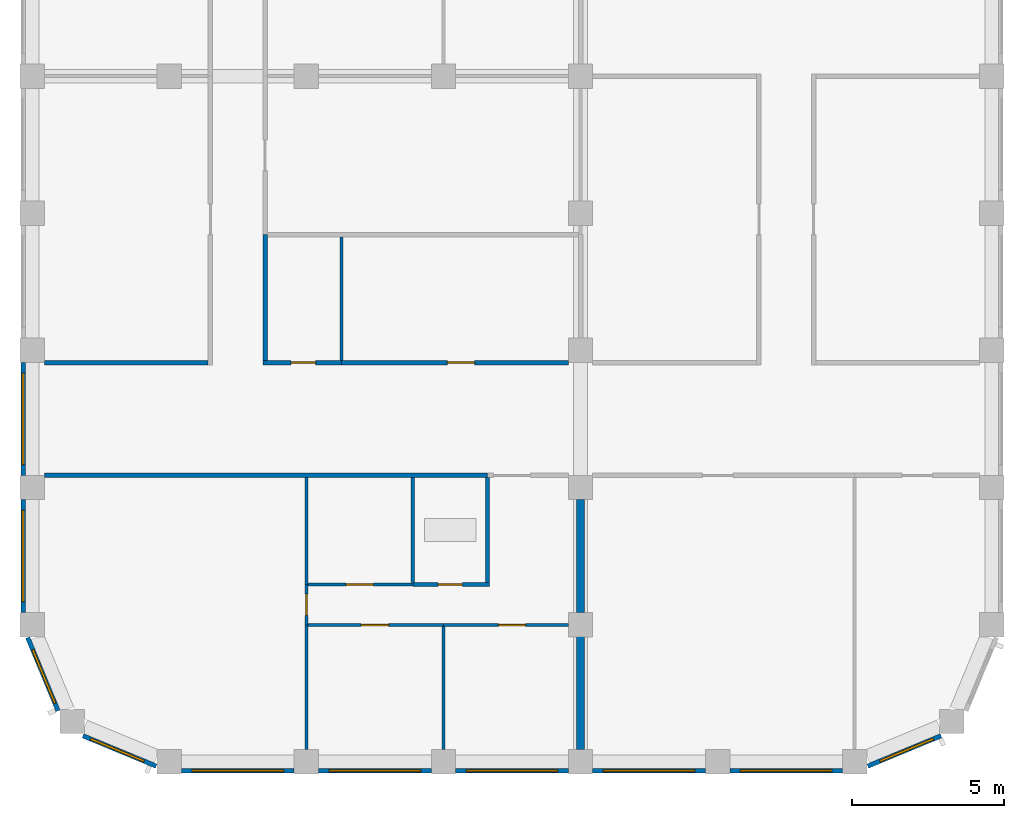
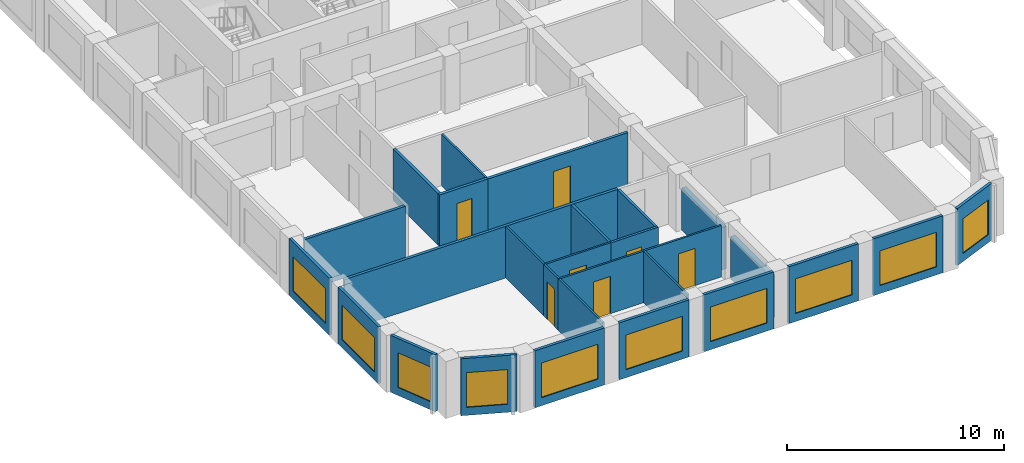
# One storey, part 2 of 9: 28 walls, 10 windows, 7 doors, 17 openings.
"""IFC4 building model written with IfcOpenShell, lengths in metres."""

import ifcopenshell
import ifcopenshell.guid

model = None  # the IFC model being written
_history = None  # IfcOwnerHistory: only IFC2X3 demands one
_inside = {}  # id of a spatial element -> (the spatial element, [elements in it])
_under = {}  # id of a project, library or spatial element -> (it, [spatial elements below it])
_declared = {}  # id of a project -> (the project, [libraries it declares])
_typed = {}  # id of a type object -> (the type object, [elements of that type])
_made_of = {}  # id of a material, layer set ... -> (it, [elements and type objects made of it])


def new_model(schema):
    """Start an empty IFC model of exactly this schema.

    Asked for "IFC4X3", IfcOpenShell would pick the latest addendum, in which some entities
    have other attributes; the version numbers below select the first issue.
    IFC2X3 requires an IfcOwnerHistory on every rooted entity: one is made here for all.
    """
    global model, _history
    if schema == "IFC4X3":
        model = ifcopenshell.file(schema_version=(4, 3, 0, 0))
    else:
        model = ifcopenshell.file(schema=schema)
    _inside.clear()
    _under.clear()
    _declared.clear()
    _typed.clear()
    _made_of.clear()
    _history = None
    if model.schema == "IFC2X3":
        org = make("IfcOrganization", Name="unknown")
        user = make(
            "IfcPersonAndOrganization",
            ThePerson=make("IfcPerson", FamilyName="unknown"),
            TheOrganization=org,
        )
        app = make(
            "IfcApplication",
            ApplicationDeveloper=org,
            Version="unknown",
            ApplicationFullName="unknown",
            ApplicationIdentifier="unknown",
        )
        _history = make(
            "IfcOwnerHistory",
            OwningUser=user,
            OwningApplication=app,
            ChangeAction="ADDED",
            CreationDate=0,
        )
    return model


def make(cls, **values):
    """One entity of the class cls with the attributes given. An attribute that is None is left unset."""
    return model.create_entity(
        cls, **{name: value for name, value in values.items() if value is not None}
    )


def rooted(cls, **values):
    """An entity with a GlobalId (a new one), such as an element, a storey or a relation."""
    return make(cls, GlobalId=ifcopenshell.guid.new(), OwnerHistory=_history, **values)


def si_unit(unit_type, name, prefix=None):
    """IfcSIUnit, for example si_unit("LENGTHUNIT", "METRE", prefix="MILLI")."""
    return make("IfcSIUnit", UnitType=unit_type, Prefix=prefix, Name=name)


def assignment(units):
    """IfcUnitAssignment: the units of a project."""
    return None if units is None else make("IfcUnitAssignment", Units=units)


def point(xyz):
    """IfcCartesianPoint."""
    return None if xyz is None else make("IfcCartesianPoint", Coordinates=xyz)


def direction(xyz):
    """IfcDirection."""
    return None if xyz is None else make("IfcDirection", DirectionRatios=xyz)


def frame(location, z_axis=None, x_axis=None):
    """IfcAxis2Placement3D, a coordinate frame: its origin and axes. An axis left out is left unset."""
    return make(
        "IfcAxis2Placement3D",
        Location=point(location),
        Axis=direction(z_axis),
        RefDirection=direction(x_axis),
    )


def frame_2d(location, x_axis=None):
    """IfcAxis2Placement2D, a coordinate frame in the plane: its origin and x axis."""
    return make(
        "IfcAxis2Placement2D", Location=point(location), RefDirection=direction(x_axis)
    )


def origin():
    """The frame at (0, 0, 0) with its axes left unset."""
    return frame((0.0, 0.0, 0.0))


def place(relative_to, where):
    """IfcLocalPlacement: puts the frame where relative to a parent placement (None: the world)."""
    return make(
        "IfcLocalPlacement", PlacementRelTo=relative_to, RelativePlacement=where
    )


def context(
    kind, dimensions, precision=None, world=None, true_north=None, identifier=None
):
    """IfcGeometricRepresentationContext, for example the 3D "Model" context."""
    return make(
        "IfcGeometricRepresentationContext",
        ContextIdentifier=identifier,
        ContextType=kind,
        CoordinateSpaceDimension=dimensions,
        Precision=precision,
        WorldCoordinateSystem=world,
        TrueNorth=true_north,
    )


def subcontext(parent, identifier, kind, view, scale=None):
    """IfcGeometricRepresentationSubContext, for example "Body" below "Model"."""
    return make(
        "IfcGeometricRepresentationSubContext",
        ContextIdentifier=identifier,
        ContextType=kind,
        ParentContext=parent,
        TargetScale=scale,
        TargetView=view,
    )


def project(units=None, contexts=None):
    """IfcProject with its units and contexts."""
    return rooted(
        "IfcProject",
        Name="project",
        RepresentationContexts=contexts,
        UnitsInContext=assignment(units),
    )


def spatial(cls, under=None, at=None, **own):
    """A site, building, storey or space (cls), placed at a placement, below another one or the project."""
    s = rooted(cls, ObjectPlacement=at, **own)
    if under is not None:
        _under.setdefault(under.id(), (under, []))[1].append(s)
    return s


def profile(cls, at=None, kind="AREA", **sizes):
    """A parametric profile (cls). Its sizes go by their IFC names, for example OverallWidth=200.0."""
    return make(cls, ProfileType=kind, Position=at, **sizes)


def rectangle(**sizes):
    """IfcRectangleProfileDef."""
    return profile("IfcRectangleProfileDef", **sizes)


def extrude(swept, where, along, depth):
    """IfcExtrudedAreaSolid: the profile swept, set in the frame where, extruded along a direction by depth."""
    return make(
        "IfcExtrudedAreaSolid",
        SweptArea=swept,
        Position=where,
        ExtrudedDirection=direction(along),
        Depth=depth,
    )


def shape(context_of_items, identifier, shape_type, items):
    """IfcShapeRepresentation: the items that make up one representation, for example the "Body"."""
    return make(
        "IfcShapeRepresentation",
        ContextOfItems=context_of_items,
        RepresentationIdentifier=identifier,
        RepresentationType=shape_type,
        Items=items,
    )


def material(Name=None, Category=None):
    """IfcMaterial."""
    return make("IfcMaterial", Name=Name, Category=Category)


def layer(
    of_material, thickness, ventilated=None, Name=None, Category=None, Priority=None
):
    """IfcMaterialLayer: one layer of a wall or slab, of a material (None: an air gap)."""
    return make(
        "IfcMaterialLayer",
        Material=of_material,
        LayerThickness=thickness,
        IsVentilated=ventilated,
        Name=Name,
        Category=Category,
        Priority=Priority,
    )


def layer_set(layers, Name=None):
    """IfcMaterialLayerSet."""
    return make("IfcMaterialLayerSet", MaterialLayers=layers, LayerSetName=Name)


def made_of(thing, what):
    """Note that an element or type object is made of a material, layer set ...; save() writes the relation."""
    if what is not None:
        _made_of.setdefault(what.id(), (what, []))[1].append(thing)
    return thing


def type_object(cls, material=None, **own):
    """A type object (cls), such as IfcWallType, which elements share."""
    return made_of(rooted(cls, **own), material)


def element(
    cls,
    number,
    at=None,
    inside=None,
    cuts=None,
    type_object=None,
    material=None,
    context=None,
    identifier="Body",
    shape_type=None,
    held_by="IfcProductDefinitionShape",
    body=None,
    shapes=None,
    **own,
):
    """One element of the class cls, such as IfcWall. Its Tag is "e" and its number.

    at: its placement. inside: the storey or other place that contains it. cuts: it is an
    opening in that element (IfcRelVoidsElement). A single representation is given by context,
    identifier, shape_type and body (its items); several are given by shapes. held_by: the class
    of the entity that holds the representations. save() writes the other relations.
    """
    e = rooted(cls, Tag="e%d" % number, ObjectPlacement=at, **own)
    if body is not None:
        shapes = [shape(context, identifier, shape_type, body)]
    if shapes is not None:
        e.Representation = make(held_by, Representations=shapes)
    if inside is not None:
        _inside.setdefault(inside.id(), (inside, []))[1].append(e)
    if cuts is not None:
        rooted(
            "IfcRelVoidsElement", RelatingBuildingElement=cuts, RelatedOpeningElement=e
        )
    if type_object is not None:
        _typed.setdefault(type_object.id(), (type_object, []))[1].append(e)
    return made_of(e, material)


def fill(opening, filler):
    """IfcRelFillsElement: the door or window that sits in an opening."""
    return rooted(
        "IfcRelFillsElement",
        RelatingOpeningElement=opening,
        RelatedBuildingElement=filler,
    )


def aggregate(whole, parts):
    """IfcRelAggregates: a whole, such as a stair, and the parts it consists of."""
    return rooted("IfcRelAggregates", RelatingObject=whole, RelatedObjects=parts)


def save(model, path):
    """Write the relations noted so far, then the file.

    IfcRelAggregates (storeys below a building ...), IfcRelContainedInSpatialStructure (elements
    in a storey), IfcRelDefinesByType, IfcRelAssociatesMaterial and IfcRelDeclares: one each for
    every whole, place, type object, material and project.
    """
    for whole, parts in _under.values():
        aggregate(whole, parts)
    for where, things in _inside.values():
        rooted(
            "IfcRelContainedInSpatialStructure",
            RelatedElements=things,
            RelatingStructure=where,
        )
    for kind, things in _typed.values():
        rooted("IfcRelDefinesByType", RelatedObjects=things, RelatingType=kind)
    for what, things in _made_of.values():
        rooted("IfcRelAssociatesMaterial", RelatedObjects=things, RelatingMaterial=what)
    for by, libraries in _declared.values():
        rooted("IfcRelDeclares", RelatingContext=by, RelatedDefinitions=libraries)
    model.write(path)


model = new_model("IFC4")

# Units and contexts
model_context = context("Model", 3, precision=1e-05, world=origin(), true_north=direction((0.0, 1.0)))
body_context = subcontext(model_context, "Body", "Model", "MODEL_VIEW")
ifc_project = project(units=[si_unit("LENGTHUNIT", "METRE"), si_unit("AREAUNIT", "SQUARE_METRE"), si_unit("VOLUMEUNIT", "CUBIC_METRE"), si_unit("PLANEANGLEUNIT", "RADIAN"), si_unit("MASSUNIT", "GRAM", prefix="KILO")], contexts=[model_context])

# Site, building, storey
site_placement = place(None, origin())
site = spatial("IfcSite", under=ifc_project, at=site_placement, CompositionType="ELEMENT")
building_placement = place(site_placement, origin())
building = spatial("IfcBuilding", under=site, at=building_placement, Name="Girih Gate Residences", CompositionType="ELEMENT")
storey_placement = place(building_placement, frame((0.0, 0.0, 206.89501953125)))
storey = spatial("IfcBuildingStorey", under=building, at=storey_placement, Name="L57", CompositionType="ELEMENT", Elevation=206.89501953125)

# Walls
ifc_material_1 = material(Name="Gypsum board on steel studs", Category="steel")
ifc_layer_1 = layer(ifc_material_1, 0.25)
ifc_layer_set_1 = layer_set([ifc_layer_1], Name="Acoustic separating wall 250 mm")
wall_type_1 = type_object("IfcWallType", Name="Acoustic separating wall 250 mm", PredefinedType="PARTITIONING", material=ifc_layer_set_1)
for number, where, z_axis, x_axis, name in (
    (1, (18.0, 0.39990234375, 0.0), (0.0, 0.0, 1.0), (0.0, 1.0, 0.0), "L57 partition"),
    (2, (18.0, 4.89990234375, 0.0), (0.0, 0.0, 1.0), (0.0, 1.0, 0.0), "L57 partition"),
):
    element("IfcWall", number, at=place(storey_placement, frame(where, z_axis=z_axis, x_axis=x_axis)), inside=storey, type_object=wall_type_1, Name=name, PredefinedType="PARTITIONING", context=body_context, shape_type="SweptSolid", body=[
        extrude(rectangle(XDim=3.7001953125, YDim=0.25, at=frame_2d((1.85009765625, 0.0))), origin(), (0.0, 0.0, 1.0), 2.3798828125),
    ])
ifc_layer_2 = layer(ifc_material_1, 0.14990234375)
ifc_layer_set_2 = layer_set([ifc_layer_2], Name="Compartment wall 150 mm")
wall_type_2 = type_object("IfcWallType", Name="Compartment wall 150 mm", PredefinedType="PARTITIONING", material=ifc_layer_set_2)
wall_1_placement = place(storey_placement, frame((0.39990234375, 9.39990234375, 0.0), z_axis=(0.0, 0.0, 1.0), x_axis=(1.0, 0.0, 0.0)))
element("IfcWall", 3, at=wall_1_placement, inside=storey, type_object=wall_type_2, Name="L57 partition", PredefinedType="PARTITIONING", context=body_context, shape_type="SweptSolid", body=[
    extrude(rectangle(XDim=14.550048828125, YDim=0.14990234375, at=frame_2d((7.27490234375, 0.0))), origin(), (0.0, 0.0, 1.0), 2.89990234375),
])

# Wall, opening, door
wall_2_placement = place(storey_placement, frame((10.14990234375, 13.10009765625, 0.0), z_axis=(0.0, 0.0, 1.0), x_axis=(1.0, 0.0, 0.0)))
wall_2 = element("IfcWall", 4, at=wall_2_placement, inside=storey, type_object=wall_type_2, Name="L57 partition", PredefinedType="PARTITIONING", context=body_context, shape_type="SweptSolid", body=[
    extrude(rectangle(XDim=7.4501953125, YDim=0.14990234375, at=frame_2d((3.72509765625, 0.0))), origin(), (0.0, 0.0, 1.0), 2.89990234375),
])
opening_1_placement = place(wall_2_placement, frame((3.47509765625, 0.0, 0.0)))
opening_1 = element("IfcOpeningElement", 5, at=opening_1_placement, cuts=wall_2, Name="Opening A57-029", PredefinedType="OPENING", context=body_context, shape_type="SweptSolid", body=[
    extrude(rectangle(XDim=0.89990234375, YDim=2.10009765625, at=frame_2d((0.449951171875, 1.050048828125))), frame((0.0, 0.0849609375, 0.0), z_axis=(0.0, -1.0, 0.0), x_axis=(1.0, 0.0, 0.0)), (0.0, 0.0, 1.0), 0.169921875),
])
ifc_material_2 = material(Name="Timber", Category="wood")
door_type_1 = type_object("IfcDoorType", Name="Service room door 900x2100", OperationType="NOTDEFINED", PredefinedType="DOOR", material=ifc_material_2)
door_1_placement = place(opening_1_placement, origin())
door_1 = element("IfcDoor", 6, at=door_1_placement, inside=storey, type_object=door_type_1, Name="Door A57-029", OperationType="SINGLE_SWING_RIGHT", OverallHeight=2.10009765625, OverallWidth=0.89990234375, PredefinedType="DOOR", context=body_context, shape_type="SweptSolid", body=[
    extrude(rectangle(XDim=0.89990234375, YDim=2.10009765625, at=frame_2d((0.449951171875, 1.050048828125))), frame((0.0, 0.02490234375, 0.0), z_axis=(0.0, -1.0, 0.0), x_axis=(1.0, 0.0, 0.0)), (0.0, 0.0, 1.0), 0.050048828125),
])
fill(opening_1, door_1)

wall_3_placement = place(storey_placement, frame((7.574951171875, 13.10009765625, 0.0), z_axis=(0.0, 0.0, 1.0), x_axis=(1.0, 0.0, 0.0)))
wall_3 = element("IfcWall", 7, at=wall_3_placement, inside=storey, type_object=wall_type_2, Name="L57 partition", PredefinedType="PARTITIONING", context=body_context, shape_type="SweptSolid", body=[
    extrude(rectangle(XDim=2.574951171875, YDim=0.14990234375, at=frame_2d((1.28759765625, 0.0))), origin(), (0.0, 0.0, 1.0), 2.89990234375),
])
opening_2_placement = place(wall_3_placement, frame((0.925048828125, 0.0, 0.0)))
opening_2 = element("IfcOpeningElement", 8, at=opening_2_placement, cuts=wall_3, Name="Opening A57-030", PredefinedType="OPENING", context=body_context, shape_type="SweptSolid", body=[
    extrude(rectangle(XDim=0.800048828125, YDim=2.10009765625, at=frame_2d((0.39990234375, 1.050048828125))), frame((0.0, 0.0849609375, 0.0), z_axis=(0.0, -1.0, 0.0), x_axis=(1.0, 0.0, 0.0)), (0.0, 0.0, 1.0), 0.169921875),
])
door_type_2 = type_object("IfcDoorType", Name="Bathroom door 800x2100", OperationType="NOTDEFINED", PredefinedType="DOOR", material=ifc_material_2)
door_2_placement = place(opening_2_placement, origin())
door_2 = element("IfcDoor", 9, at=door_2_placement, inside=storey, type_object=door_type_2, Name="Door A57-030", OperationType="SINGLE_SWING_RIGHT", OverallHeight=2.10009765625, OverallWidth=0.800048828125, PredefinedType="DOOR", context=body_context, shape_type="SweptSolid", body=[
    extrude(rectangle(XDim=0.800048828125, YDim=2.10009765625, at=frame_2d((0.39990234375, 1.050048828125))), frame((0.0, 0.02490234375, 0.0), z_axis=(0.0, -1.0, 0.0), x_axis=(1.0, 0.0, 0.0)), (0.0, 0.0, 1.0), 0.050048828125),
])
fill(opening_2, door_2)

# Walls
wall_4_placement = place(storey_placement, frame((0.39990234375, 13.10009765625, 0.0), z_axis=(0.0, 0.0, 1.0), x_axis=(1.0, 0.0, 0.0)))
element("IfcWall", 10, at=wall_4_placement, inside=storey, type_object=wall_type_2, Name="L57 partition", PredefinedType="PARTITIONING", context=body_context, shape_type="SweptSolid", body=[
    extrude(rectangle(XDim=5.375, YDim=0.14990234375, at=frame_2d((2.6875, 0.0))), origin(), (0.0, 0.0, 1.0), 2.89990234375),
])
wall_5_placement = place(storey_placement, frame((7.64990234375, 13.175048828125, 0.0), z_axis=(0.0, 0.0, 1.0), x_axis=(0.0, 1.0, 0.0)))
element("IfcWall", 11, at=wall_5_placement, inside=storey, type_object=wall_type_2, Name="L57 partition", PredefinedType="PARTITIONING", context=body_context, shape_type="SweptSolid", body=[
    extrude(rectangle(XDim=4.125, YDim=0.14990234375, at=frame_2d((2.0625, 0.0))), origin(), (0.0, 0.0, 1.0), 2.89990234375),
])
ifc_layer_3 = layer(ifc_material_1, 0.10009765625)
ifc_layer_set_3 = layer_set([ifc_layer_3], Name="Partition 100 mm")
wall_type_3 = type_object("IfcWallType", Name="Partition 100 mm", PredefinedType="PARTITIONING", material=ifc_layer_set_3)
wall_6_placement = place(storey_placement, frame((13.5, 0.39990234375, 0.0), z_axis=(0.0, 0.0, 1.0), x_axis=(0.0, 1.0, 0.0)))
element("IfcWall", 12, at=wall_6_placement, inside=storey, type_object=wall_type_3, Name="L57 partition", PredefinedType="PARTITIONING", context=body_context, shape_type="SweptSolid", body=[
    extrude(rectangle(XDim=4.030029296875, YDim=0.10009765625, at=frame_2d((2.01513671875, 0.0))), origin(), (0.0, 0.0, 1.0), 2.89990234375),
])

# Wall, opening, door
wall_7_placement = place(storey_placement, frame((13.5, 4.47998046875, 0.0), z_axis=(0.0, 0.0, 1.0), x_axis=(-1.0, 0.0, 0.0)))
wall_7 = element("IfcWall", 13, at=wall_7_placement, inside=storey, type_object=wall_type_3, Name="L57 partition", PredefinedType="PARTITIONING", context=body_context, shape_type="SweptSolid", body=[
    extrude(rectangle(XDim=4.449951171875, YDim=0.10009765625, at=frame_2d((2.22509765625, 0.0))), origin(), (0.0, 0.0, 1.0), 2.89990234375),
])
opening_3_placement = place(wall_7_placement, frame((1.800048828125, 0.0, 0.0)))
opening_3 = element("IfcOpeningElement", 14, at=opening_3_placement, cuts=wall_7, Name="Opening A57-002", PredefinedType="OPENING", context=body_context, shape_type="SweptSolid", body=[
    extrude(rectangle(XDim=0.89990234375, YDim=2.10009765625, at=frame_2d((0.449951171875, 1.050048828125))), frame((0.0, 0.06005859375, 0.0), z_axis=(0.0, -1.0, 0.0), x_axis=(1.0, 0.0, 0.0)), (0.0, 0.0, 1.0), 0.1201171875),
])
door_type_3 = type_object("IfcDoorType", Name="Bedroom door 900x2100", OperationType="NOTDEFINED", PredefinedType="DOOR", material=ifc_material_2)
door_3_placement = place(opening_3_placement, origin())
door_3 = element("IfcDoor", 15, at=door_3_placement, inside=storey, type_object=door_type_3, Name="Door A57-002", OperationType="SINGLE_SWING_RIGHT", OverallHeight=2.10009765625, OverallWidth=0.89990234375, PredefinedType="DOOR", context=body_context, shape_type="SweptSolid", body=[
    extrude(rectangle(XDim=0.89990234375, YDim=2.10009765625, at=frame_2d((0.449951171875, 1.050048828125))), frame((0.0, 0.02490234375, 0.0), z_axis=(0.0, -1.0, 0.0), x_axis=(1.0, 0.0, 0.0)), (0.0, 0.0, 1.0), 0.050048828125),
])
fill(opening_3, door_3)

# Wall
wall_8_placement = place(storey_placement, frame((9.0, 0.39990234375, 0.0), z_axis=(0.0, 0.0, 1.0), x_axis=(0.0, 1.0, 0.0)))
element("IfcWall", 16, at=wall_8_placement, inside=storey, type_object=wall_type_3, Name="L57 partition", PredefinedType="PARTITIONING", context=body_context, shape_type="SweptSolid", body=[
    extrude(rectangle(XDim=4.080078125, YDim=0.10009765625, at=frame_2d((2.0400390625, 0.0))), origin(), (0.0, 0.0, 1.0), 2.89990234375),
])

# Wall, opening, door
wall_9_placement = place(storey_placement, frame((17.60009765625, 4.47998046875, 0.0), z_axis=(0.0, 0.0, 1.0), x_axis=(-1.0, 0.0, 0.0)))
wall_9 = element("IfcWall", 17, at=wall_9_placement, inside=storey, type_object=wall_type_3, Name="L57 partition", PredefinedType="PARTITIONING", context=body_context, shape_type="SweptSolid", body=[
    extrude(rectangle(XDim=4.10009765625, YDim=0.10009765625, at=frame_2d((2.050048828125, 0.0))), origin(), (0.0, 0.0, 1.0), 2.89990234375),
])
opening_4_placement = place(wall_9_placement, frame((1.39990234375, 0.0, 0.0)))
opening_4 = element("IfcOpeningElement", 18, at=opening_4_placement, cuts=wall_9, Name="Opening A57-003", PredefinedType="OPENING", context=body_context, shape_type="SweptSolid", body=[
    extrude(rectangle(XDim=0.89990234375, YDim=2.10009765625, at=frame_2d((0.449951171875, 1.050048828125))), frame((0.0, 0.06005859375, 0.0), z_axis=(0.0, -1.0, 0.0), x_axis=(1.0, 0.0, 0.0)), (0.0, 0.0, 1.0), 0.1201171875),
])
door_4_placement = place(opening_4_placement, origin())
door_4 = element("IfcDoor", 19, at=door_4_placement, inside=storey, type_object=door_type_3, Name="Door A57-003", OperationType="SINGLE_SWING_LEFT", OverallHeight=2.10009765625, OverallWidth=0.89990234375, PredefinedType="DOOR", context=body_context, shape_type="SweptSolid", body=[
    extrude(rectangle(XDim=0.89990234375, YDim=2.10009765625, at=frame_2d((0.449951171875, 1.050048828125))), frame((0.0, 0.02490234375, 0.0), z_axis=(0.0, -1.0, 0.0), x_axis=(1.0, 0.0, 0.0)), (0.0, 0.0, 1.0), 0.050048828125),
])
fill(opening_4, door_4)

wall_10_placement = place(storey_placement, frame((9.050048828125, 5.820068359375, 0.0), z_axis=(0.0, 0.0, 1.0), x_axis=(1.0, 0.0, 0.0)))
wall_10 = element("IfcWall", 20, at=wall_10_placement, inside=storey, type_object=wall_type_3, Name="L57 partition", PredefinedType="PARTITIONING", context=body_context, shape_type="SweptSolid", body=[
    extrude(rectangle(XDim=3.444580078125, YDim=0.10009765625, at=frame_2d((1.72216796875, 0.0))), origin(), (0.0, 0.0, 1.0), 2.89990234375),
])
opening_5_placement = place(wall_10_placement, frame((1.247314453125, 0.0, 0.0)))
opening_5 = element("IfcOpeningElement", 21, at=opening_5_placement, cuts=wall_10, Name="Opening A57-004", PredefinedType="OPENING", context=body_context, shape_type="SweptSolid", body=[
    extrude(rectangle(XDim=0.89990234375, YDim=2.10009765625, at=frame_2d((0.449951171875, 1.050048828125))), frame((0.0, 0.06005859375, 0.0), z_axis=(0.0, -1.0, 0.0), x_axis=(1.0, 0.0, 0.0)), (0.0, 0.0, 1.0), 0.1201171875),
])
door_type_4 = type_object("IfcDoorType", Name="Kitchen door 900x2100", OperationType="NOTDEFINED", PredefinedType="DOOR", material=ifc_material_2)
door_5_placement = place(opening_5_placement, origin())
door_5 = element("IfcDoor", 22, at=door_5_placement, inside=storey, type_object=door_type_4, Name="Door A57-004", OperationType="SINGLE_SWING_LEFT", OverallHeight=2.10009765625, OverallWidth=0.89990234375, PredefinedType="DOOR", context=body_context, shape_type="SweptSolid", body=[
    extrude(rectangle(XDim=0.89990234375, YDim=2.10009765625, at=frame_2d((0.449951171875, 1.050048828125))), frame((0.0, 0.02490234375, 0.0), z_axis=(0.0, -1.0, 0.0), x_axis=(1.0, 0.0, 0.0)), (0.0, 0.0, 1.0), 0.050048828125),
])
fill(opening_5, door_5)

wall_11_placement = place(storey_placement, frame((9.0, 4.47998046875, 0.0), z_axis=(0.0, 0.0, 1.0), x_axis=(0.0, 1.0, 0.0)))
wall_11 = element("IfcWall", 23, at=wall_11_placement, inside=storey, type_object=wall_type_3, Name="L57 partition", PredefinedType="PARTITIONING", context=body_context, shape_type="SweptSolid", body=[
    extrude(rectangle(XDim=1.340087890625, YDim=0.10009765625, at=frame_2d((0.669921875, 0.0))), origin(), (0.0, 0.0, 1.0), 2.89990234375),
])
opening_6_placement = place(wall_11_placement, frame((0.320068359375, 0.0, 0.0)))
opening_6 = element("IfcOpeningElement", 24, at=opening_6_placement, cuts=wall_11, Name="Opening A57-005", PredefinedType="OPENING", context=body_context, shape_type="SweptSolid", body=[
    extrude(rectangle(XDim=0.699951171875, YDim=2.10009765625, at=frame_2d((0.35009765625, 1.050048828125))), frame((0.0, 0.06005859375, 0.0), z_axis=(0.0, -1.0, 0.0), x_axis=(1.0, 0.0, 0.0)), (0.0, 0.0, 1.0), 0.1201171875),
])
door_type_5 = type_object("IfcDoorType", Name="Narrow door 700x2100", OperationType="NOTDEFINED", PredefinedType="DOOR", material=ifc_material_2)
door_6_placement = place(opening_6_placement, origin())
door_6 = element("IfcDoor", 25, at=door_6_placement, inside=storey, type_object=door_type_5, Name="Door A57-005", OperationType="SINGLE_SWING_LEFT", OverallHeight=2.10009765625, OverallWidth=0.699951171875, PredefinedType="DOOR", context=body_context, shape_type="SweptSolid", body=[
    extrude(rectangle(XDim=0.699951171875, YDim=2.10009765625, at=frame_2d((0.35009765625, 1.050048828125))), frame((0.0, 0.02490234375, 0.0), z_axis=(0.0, -1.0, 0.0), x_axis=(1.0, 0.0, 0.0)), (0.0, 0.0, 1.0), 0.050048828125),
])
fill(opening_6, door_6)

# Walls
wall_12_placement = place(storey_placement, frame((9.0, 5.820068359375, 0.0), z_axis=(0.0, 0.0, 1.0), x_axis=(0.0, 1.0, 0.0)))
element("IfcWall", 26, at=wall_12_placement, inside=storey, type_object=wall_type_3, Name="L57 partition", PredefinedType="PARTITIONING", context=body_context, shape_type="SweptSolid", body=[
    extrude(rectangle(XDim=3.5048828125, YDim=0.10009765625, at=frame_2d((1.75244140625, 0.0))), origin(), (0.0, 0.0, 1.0), 2.89990234375),
])
wall_13_placement = place(storey_placement, frame((10.14990234375, 13.175048828125, 0.0), z_axis=(0.0, 0.0, 1.0), x_axis=(0.0, 1.0, 0.0)))
element("IfcWall", 27, at=wall_13_placement, inside=storey, type_object=wall_type_3, Name="L57 partition", PredefinedType="PARTITIONING", context=body_context, shape_type="SweptSolid", body=[
    extrude(rectangle(XDim=4.050048828125, YDim=0.10009765625, at=frame_2d((2.02490234375, 0.0))), origin(), (0.0, 0.0, 1.0), 2.89990234375),
])

# Wall, opening, window
ifc_material_3 = material(Name="Precast concrete C50/60", Category="concrete")
ifc_layer_4 = layer(ifc_material_3, 0.050048828125, Name="Outer leaf")
ifc_material_4 = material(Name="Rigid PIR insulation")
ifc_layer_5 = layer(ifc_material_4, 0.06005859375, Name="Insulation")
ifc_material_5 = material(Name="Precast concrete C40/50", Category="concrete")
ifc_layer_6 = layer(ifc_material_5, 0.0400390625, Name="Inner leaf")
ifc_layer_set_4 = layer_set([ifc_layer_4, ifc_layer_5, ifc_layer_6], Name="Precast concrete C50/60 external wall 150")
wall_type_4 = type_object("IfcWallType", Name="Precast concrete C50/60 external wall 150", PredefinedType="SOLIDWALL", material=ifc_layer_set_4)
wall_14_placement = place(storey_placement, frame((29.8330078125, 0.8486328125, 0.0), z_axis=(0.0, 0.0, 1.0), x_axis=(-0.923885342263, -0.382669406082, 0.0)))
wall_14 = element("IfcWall", 28, at=wall_14_placement, inside=storey, type_object=wall_type_4, Name="External wall SE0270_0000.0", PredefinedType="SOLIDWALL", context=body_context, shape_type="SweptSolid", body=[
    extrude(rectangle(XDim=2.602294921875, YDim=0.14990234375, at=frame_2d((1.30126953125, 0.0))), origin(), (0.0, 0.0, 1.0), 3.199951171875),
])
opening_7_placement = place(wall_14_placement, frame((0.27001953125, 0.0, 0.449951171875)))
opening_7 = element("IfcOpeningElement", 29, at=opening_7_placement, cuts=wall_14, Name="Opening W-2G", PredefinedType="OPENING", context=body_context, shape_type="SweptSolid", body=[
    extrude(rectangle(XDim=1.89990234375, YDim=1.949951171875, at=frame_2d((0.949951171875, 0.97509765625))), frame((0.0, 0.0849609375, 0.0), z_axis=(0.0, -1.0, 0.0), x_axis=(1.0, 0.0, 0.0)), (0.0, 0.0, 1.0), 0.169921875),
])
ifc_material_6 = material(Name="Double glazing in aluminium frame", Category="aluminium")
window_type_1 = type_object("IfcWindowType", Name="Window W-2G 1900x1950", PartitioningType="SINGLE_PANEL", PredefinedType="WINDOW", material=ifc_material_6)
window_1_placement = place(opening_7_placement, origin())
window_1 = element("IfcWindow", 30, at=window_1_placement, inside=storey, type_object=window_type_1, Name="Window W-2G SE0270_0000.0", OverallHeight=1.949951171875, OverallWidth=1.89990234375, PartitioningType="SINGLE_PANEL", PredefinedType="WINDOW", context=body_context, shape_type="SweptSolid", body=[
    extrude(rectangle(XDim=1.89990234375, YDim=1.949951171875, at=frame_2d((0.949951171875, 0.97509765625))), frame((0.0, 0.030029296875, 0.0), z_axis=(0.0, -1.0, 0.0), x_axis=(1.0, 0.0, 0.0)), (0.0, 0.0, 1.0), 0.06005859375),
])
fill(opening_7, window_1)

wall_15_placement = place(storey_placement, frame((-0.300048828125, 9.39990234375, 0.0), z_axis=(0.0, 0.0, 1.0), x_axis=(0.0, 1.0, 0.0)))
wall_15 = element("IfcWall", 31, at=wall_15_placement, inside=storey, type_object=wall_type_4, Name="External wall W0000_0450.7", PredefinedType="SOLIDWALL", context=body_context, shape_type="SweptSolid", body=[
    extrude(rectangle(XDim=3.7001953125, YDim=0.14990234375, at=frame_2d((1.85009765625, 0.0))), origin(), (0.0, 0.0, 1.0), 3.199951171875),
])
opening_8_placement = place(wall_15_placement, frame((0.35009765625, 0.0, 0.449951171875)))
opening_8 = element("IfcOpeningElement", 32, at=opening_8_placement, cuts=wall_15, Name="Opening W-1D", PredefinedType="OPENING", context=body_context, shape_type="SweptSolid", body=[
    extrude(rectangle(XDim=3.0, YDim=1.949951171875, at=frame_2d((1.5, 0.97509765625))), frame((0.0, 0.0849609375, 0.0), z_axis=(0.0, -1.0, 0.0), x_axis=(1.0, 0.0, 0.0)), (0.0, 0.0, 1.0), 0.169921875),
])
window_type_2 = type_object("IfcWindowType", Name="Window W-1D 3000x1950", PartitioningType="SINGLE_PANEL", PredefinedType="WINDOW", material=ifc_material_6)
window_2_placement = place(opening_8_placement, origin())
window_2 = element("IfcWindow", 33, at=window_2_placement, inside=storey, type_object=window_type_2, Name="Window W-1D W0000_0450.7", OverallHeight=1.949951171875, OverallWidth=3.0, PartitioningType="SINGLE_PANEL", PredefinedType="WINDOW", context=body_context, shape_type="SweptSolid", body=[
    extrude(rectangle(XDim=3.0, YDim=1.949951171875, at=frame_2d((1.5, 0.97509765625))), frame((0.0, 0.030029296875, 0.0), z_axis=(0.0, -1.0, 0.0), x_axis=(1.0, 0.0, 0.0)), (0.0, 0.0, 1.0), 0.06005859375),
])
fill(opening_8, window_2)

wall_16_placement = place(storey_placement, frame((-0.300048828125, 4.89990234375, 0.0), z_axis=(0.0, 0.0, 1.0), x_axis=(0.0, 1.0, 0.0)))
wall_16 = element("IfcWall", 34, at=wall_16_placement, inside=storey, type_object=wall_type_4, Name="External wall W0000_0450.8", PredefinedType="SOLIDWALL", context=body_context, shape_type="SweptSolid", body=[
    extrude(rectangle(XDim=3.7001953125, YDim=0.14990234375, at=frame_2d((1.85009765625, 0.0))), origin(), (0.0, 0.0, 1.0), 3.199951171875),
])
opening_9_placement = place(wall_16_placement, frame((0.35009765625, 0.0, 0.449951171875)))
opening_9 = element("IfcOpeningElement", 35, at=opening_9_placement, cuts=wall_16, Name="Opening W-1D", PredefinedType="OPENING", context=body_context, shape_type="SweptSolid", body=[
    extrude(rectangle(XDim=3.0, YDim=1.949951171875, at=frame_2d((1.5, 0.97509765625))), frame((0.0, 0.0849609375, 0.0), z_axis=(0.0, -1.0, 0.0), x_axis=(1.0, 0.0, 0.0)), (0.0, 0.0, 1.0), 0.169921875),
])
window_3_placement = place(opening_9_placement, origin())
window_3 = element("IfcWindow", 36, at=window_3_placement, inside=storey, type_object=window_type_2, Name="Window W-1D W0000_0450.8", OverallHeight=1.949951171875, OverallWidth=3.0, PartitioningType="SINGLE_PANEL", PredefinedType="WINDOW", context=body_context, shape_type="SweptSolid", body=[
    extrude(rectangle(XDim=3.0, YDim=1.949951171875, at=frame_2d((1.5, 0.97509765625))), frame((0.0, 0.030029296875, 0.0), z_axis=(0.0, -1.0, 0.0), x_axis=(1.0, 0.0, 0.0)), (0.0, 0.0, 1.0), 0.06005859375),
])
fill(opening_9, window_3)

wall_17_placement = place(storey_placement, frame((0.8486328125, 1.6669921875, 0.0), z_axis=(0.0, 0.0, 1.0), x_axis=(-0.382669406082, 0.923885342263, 0.0)))
wall_17 = element("IfcWall", 37, at=wall_17_placement, inside=storey, type_object=wall_type_4, Name="External wall SW0000_0045.0", PredefinedType="SOLIDWALL", context=body_context, shape_type="SweptSolid", body=[
    extrude(rectangle(XDim=2.602294921875, YDim=0.14990234375, at=frame_2d((1.30126953125, 0.0))), origin(), (0.0, 0.0, 1.0), 3.199951171875),
])
opening_10_placement = place(wall_17_placement, frame((0.27001953125, 0.0, 0.449951171875)))
opening_10 = element("IfcOpeningElement", 38, at=opening_10_placement, cuts=wall_17, Name="Opening W-2G", PredefinedType="OPENING", context=body_context, shape_type="SweptSolid", body=[
    extrude(rectangle(XDim=1.89990234375, YDim=1.949951171875, at=frame_2d((0.949951171875, 0.97509765625))), frame((0.0, 0.0849609375, 0.0), z_axis=(0.0, -1.0, 0.0), x_axis=(1.0, 0.0, 0.0)), (0.0, 0.0, 1.0), 0.169921875),
])
window_4_placement = place(opening_10_placement, origin())
window_4 = element("IfcWindow", 39, at=window_4_placement, inside=storey, type_object=window_type_1, Name="Window W-2G SW0000_0045.0", OverallHeight=1.949951171875, OverallWidth=1.89990234375, PartitioningType="SINGLE_PANEL", PredefinedType="WINDOW", context=body_context, shape_type="SweptSolid", body=[
    extrude(rectangle(XDim=1.89990234375, YDim=1.949951171875, at=frame_2d((0.949951171875, 0.97509765625))), frame((0.0, 0.030029296875, 0.0), z_axis=(0.0, -1.0, 0.0), x_axis=(1.0, 0.0, 0.0)), (0.0, 0.0, 1.0), 0.06005859375),
])
fill(opening_10, window_4)

wall_18_placement = place(storey_placement, frame((4.0712890625, -0.147216796875, 0.0), z_axis=(0.0, 0.0, 1.0), x_axis=(-0.923885342263, 0.382669406082, 0.0)))
wall_18 = element("IfcWall", 40, at=wall_18_placement, inside=storey, type_object=wall_type_4, Name="External wall SW0013_0013.0", PredefinedType="SOLIDWALL", context=body_context, shape_type="SweptSolid", body=[
    extrude(rectangle(XDim=2.602294921875, YDim=0.14990234375, at=frame_2d((1.30126953125, 0.0))), origin(), (0.0, 0.0, 1.0), 3.199951171875),
])
opening_11_placement = place(wall_18_placement, frame((0.432373046875, 0.0, 0.449951171875)))
opening_11 = element("IfcOpeningElement", 41, at=opening_11_placement, cuts=wall_18, Name="Opening W-2G", PredefinedType="OPENING", context=body_context, shape_type="SweptSolid", body=[
    extrude(rectangle(XDim=1.89990234375, YDim=1.949951171875, at=frame_2d((0.949951171875, 0.97509765625))), frame((0.0, 0.0849609375, 0.0), z_axis=(0.0, -1.0, 0.0), x_axis=(1.0, 0.0, 0.0)), (0.0, 0.0, 1.0), 0.169921875),
])
window_5_placement = place(opening_11_placement, origin())
window_5 = element("IfcWindow", 42, at=window_5_placement, inside=storey, type_object=window_type_1, Name="Window W-2G SW0013_0013.0", OverallHeight=1.949951171875, OverallWidth=1.89990234375, PartitioningType="SINGLE_PANEL", PredefinedType="WINDOW", context=body_context, shape_type="SweptSolid", body=[
    extrude(rectangle(XDim=1.89990234375, YDim=1.949951171875, at=frame_2d((0.949951171875, 0.97509765625))), frame((0.0, 0.030029296875, 0.0), z_axis=(0.0, -1.0, 0.0), x_axis=(1.0, 0.0, 0.0)), (0.0, 0.0, 1.0), 0.06005859375),
])
fill(opening_11, window_5)

wall_19_placement = place(storey_placement, frame((8.60009765625, -0.300048828125, 0.0), z_axis=(0.0, 0.0, 1.0), x_axis=(-1.0, 0.0, 0.0)))
wall_19 = element("IfcWall", 43, at=wall_19_placement, inside=storey, type_object=wall_type_4, Name="External wall S0045_0000.0", PredefinedType="SOLIDWALL", context=body_context, shape_type="SweptSolid", body=[
    extrude(rectangle(XDim=3.7001953125, YDim=0.14990234375, at=frame_2d((1.85009765625, 0.0))), origin(), (0.0, 0.0, 1.0), 3.199951171875),
])
opening_12_placement = place(wall_19_placement, frame((0.35009765625, 0.0, 0.449951171875)))
opening_12 = element("IfcOpeningElement", 44, at=opening_12_placement, cuts=wall_19, Name="Opening W-1D", PredefinedType="OPENING", context=body_context, shape_type="SweptSolid", body=[
    extrude(rectangle(XDim=3.0, YDim=1.949951171875, at=frame_2d((1.5, 0.97509765625))), frame((0.0, 0.0849609375, 0.0), z_axis=(0.0, -1.0, 0.0), x_axis=(1.0, 0.0, 0.0)), (0.0, 0.0, 1.0), 0.169921875),
])
window_6_placement = place(opening_12_placement, origin())
window_6 = element("IfcWindow", 45, at=window_6_placement, inside=storey, type_object=window_type_2, Name="Window W-1D S0045_0000.0", OverallHeight=1.949951171875, OverallWidth=3.0, PartitioningType="SINGLE_PANEL", PredefinedType="WINDOW", context=body_context, shape_type="SweptSolid", body=[
    extrude(rectangle(XDim=3.0, YDim=1.949951171875, at=frame_2d((1.5, 0.97509765625))), frame((0.0, 0.030029296875, 0.0), z_axis=(0.0, -1.0, 0.0), x_axis=(1.0, 0.0, 0.0)), (0.0, 0.0, 1.0), 0.06005859375),
])
fill(opening_12, window_6)

wall_20_placement = place(storey_placement, frame((13.10009765625, -0.300048828125, 0.0), z_axis=(0.0, 0.0, 1.0), x_axis=(-1.0, 0.0, 0.0)))
wall_20 = element("IfcWall", 46, at=wall_20_placement, inside=storey, type_object=wall_type_4, Name="External wall S0045_0000.1", PredefinedType="SOLIDWALL", context=body_context, shape_type="SweptSolid", body=[
    extrude(rectangle(XDim=3.7001953125, YDim=0.14990234375, at=frame_2d((1.85009765625, 0.0))), origin(), (0.0, 0.0, 1.0), 3.199951171875),
])
opening_13_placement = place(wall_20_placement, frame((0.35009765625, 0.0, 0.449951171875)))
opening_13 = element("IfcOpeningElement", 47, at=opening_13_placement, cuts=wall_20, Name="Opening W-1D", PredefinedType="OPENING", context=body_context, shape_type="SweptSolid", body=[
    extrude(rectangle(XDim=3.0, YDim=1.949951171875, at=frame_2d((1.5, 0.97509765625))), frame((0.0, 0.0849609375, 0.0), z_axis=(0.0, -1.0, 0.0), x_axis=(1.0, 0.0, 0.0)), (0.0, 0.0, 1.0), 0.169921875),
])
window_7_placement = place(opening_13_placement, origin())
window_7 = element("IfcWindow", 48, at=window_7_placement, inside=storey, type_object=window_type_2, Name="Window W-1D S0045_0000.1", OverallHeight=1.949951171875, OverallWidth=3.0, PartitioningType="SINGLE_PANEL", PredefinedType="WINDOW", context=body_context, shape_type="SweptSolid", body=[
    extrude(rectangle(XDim=3.0, YDim=1.949951171875, at=frame_2d((1.5, 0.97509765625))), frame((0.0, 0.030029296875, 0.0), z_axis=(0.0, -1.0, 0.0), x_axis=(1.0, 0.0, 0.0)), (0.0, 0.0, 1.0), 0.06005859375),
])
fill(opening_13, window_7)

wall_21_placement = place(storey_placement, frame((17.60009765625, -0.300048828125, 0.0), z_axis=(0.0, 0.0, 1.0), x_axis=(-1.0, 0.0, 0.0)))
wall_21 = element("IfcWall", 49, at=wall_21_placement, inside=storey, type_object=wall_type_4, Name="External wall S0045_0000.2", PredefinedType="SOLIDWALL", context=body_context, shape_type="SweptSolid", body=[
    extrude(rectangle(XDim=3.7001953125, YDim=0.14990234375, at=frame_2d((1.85009765625, 0.0))), origin(), (0.0, 0.0, 1.0), 3.199951171875),
])
opening_14_placement = place(wall_21_placement, frame((0.35009765625, 0.0, 0.449951171875)))
opening_14 = element("IfcOpeningElement", 50, at=opening_14_placement, cuts=wall_21, Name="Opening W-1D", PredefinedType="OPENING", context=body_context, shape_type="SweptSolid", body=[
    extrude(rectangle(XDim=3.0, YDim=1.949951171875, at=frame_2d((1.5, 0.97509765625))), frame((0.0, 0.0849609375, 0.0), z_axis=(0.0, -1.0, 0.0), x_axis=(1.0, 0.0, 0.0)), (0.0, 0.0, 1.0), 0.169921875),
])
window_8_placement = place(opening_14_placement, origin())
window_8 = element("IfcWindow", 51, at=window_8_placement, inside=storey, type_object=window_type_2, Name="Window W-1D S0045_0000.2", OverallHeight=1.949951171875, OverallWidth=3.0, PartitioningType="SINGLE_PANEL", PredefinedType="WINDOW", context=body_context, shape_type="SweptSolid", body=[
    extrude(rectangle(XDim=3.0, YDim=1.949951171875, at=frame_2d((1.5, 0.97509765625))), frame((0.0, 0.030029296875, 0.0), z_axis=(0.0, -1.0, 0.0), x_axis=(1.0, 0.0, 0.0)), (0.0, 0.0, 1.0), 0.06005859375),
])
fill(opening_14, window_8)

wall_22_placement = place(storey_placement, frame((22.10009765625, -0.300048828125, 0.0), z_axis=(0.0, 0.0, 1.0), x_axis=(-1.0, 0.0, 0.0)))
wall_22 = element("IfcWall", 52, at=wall_22_placement, inside=storey, type_object=wall_type_4, Name="External wall S0045_0000.3", PredefinedType="SOLIDWALL", context=body_context, shape_type="SweptSolid", body=[
    extrude(rectangle(XDim=3.7001953125, YDim=0.14990234375, at=frame_2d((1.85009765625, 0.0))), origin(), (0.0, 0.0, 1.0), 3.199951171875),
])
opening_15_placement = place(wall_22_placement, frame((0.35009765625, 0.0, 0.449951171875)))
opening_15 = element("IfcOpeningElement", 53, at=opening_15_placement, cuts=wall_22, Name="Opening W-1D", PredefinedType="OPENING", context=body_context, shape_type="SweptSolid", body=[
    extrude(rectangle(XDim=3.0, YDim=1.949951171875, at=frame_2d((1.5, 0.97509765625))), frame((0.0, 0.0849609375, 0.0), z_axis=(0.0, -1.0, 0.0), x_axis=(1.0, 0.0, 0.0)), (0.0, 0.0, 1.0), 0.169921875),
])
window_9_placement = place(opening_15_placement, origin())
window_9 = element("IfcWindow", 54, at=window_9_placement, inside=storey, type_object=window_type_2, Name="Window W-1D S0045_0000.3", OverallHeight=1.949951171875, OverallWidth=3.0, PartitioningType="SINGLE_PANEL", PredefinedType="WINDOW", context=body_context, shape_type="SweptSolid", body=[
    extrude(rectangle(XDim=3.0, YDim=1.949951171875, at=frame_2d((1.5, 0.97509765625))), frame((0.0, 0.030029296875, 0.0), z_axis=(0.0, -1.0, 0.0), x_axis=(1.0, 0.0, 0.0)), (0.0, 0.0, 1.0), 0.06005859375),
])
fill(opening_15, window_9)

wall_23_placement = place(storey_placement, frame((26.60009765625, -0.300048828125, 0.0), z_axis=(0.0, 0.0, 1.0), x_axis=(-1.0, 0.0, 0.0)))
wall_23 = element("IfcWall", 55, at=wall_23_placement, inside=storey, type_object=wall_type_4, Name="External wall S0045_0000.4", PredefinedType="SOLIDWALL", context=body_context, shape_type="SweptSolid", body=[
    extrude(rectangle(XDim=3.7001953125, YDim=0.14990234375, at=frame_2d((1.85009765625, 0.0))), origin(), (0.0, 0.0, 1.0), 3.199951171875),
])
opening_16_placement = place(wall_23_placement, frame((0.35009765625, 0.0, 0.449951171875)))
opening_16 = element("IfcOpeningElement", 56, at=opening_16_placement, cuts=wall_23, Name="Opening W-1D", PredefinedType="OPENING", context=body_context, shape_type="SweptSolid", body=[
    extrude(rectangle(XDim=3.0, YDim=1.949951171875, at=frame_2d((1.5, 0.97509765625))), frame((0.0, 0.0849609375, 0.0), z_axis=(0.0, -1.0, 0.0), x_axis=(1.0, 0.0, 0.0)), (0.0, 0.0, 1.0), 0.169921875),
])
window_10_placement = place(opening_16_placement, origin())
window_10 = element("IfcWindow", 57, at=window_10_placement, inside=storey, type_object=window_type_2, Name="Window W-1D S0045_0000.4", OverallHeight=1.949951171875, OverallWidth=3.0, PartitioningType="SINGLE_PANEL", PredefinedType="WINDOW", context=body_context, shape_type="SweptSolid", body=[
    extrude(rectangle(XDim=3.0, YDim=1.949951171875, at=frame_2d((1.5, 0.97509765625))), frame((0.0, 0.030029296875, 0.0), z_axis=(0.0, -1.0, 0.0), x_axis=(1.0, 0.0, 0.0)), (0.0, 0.0, 1.0), 0.06005859375),
])
fill(opening_16, window_10)

# Wall
ifc_layer_7 = layer(ifc_material_1, 0.125)
ifc_layer_set_5 = layer_set([ifc_layer_7], Name="Wet room wall 125 mm")
wall_type_5 = type_object("IfcWallType", Name="Wet room wall 125 mm", PredefinedType="PARTITIONING", material=ifc_layer_set_5)
wall_24_placement = place(storey_placement, frame((14.949951171875, 5.882568359375, 0.0), z_axis=(0.0, 0.0, 1.0), x_axis=(0.0, 1.0, 0.0)))
element("IfcWall", 58, at=wall_24_placement, inside=storey, type_object=wall_type_5, Name="L57 partition", PredefinedType="PARTITIONING", context=body_context, shape_type="SweptSolid", body=[
    extrude(rectangle(XDim=3.4423828125, YDim=0.125, at=frame_2d((1.72119140625, 0.0))), origin(), (0.0, 0.0, 1.0), 2.89990234375),
])

# Wall, opening, door
wall_25_placement = place(storey_placement, frame((12.49462890625, 5.820068359375, 0.0), z_axis=(0.0, 0.0, 1.0), x_axis=(1.0, 0.0, 0.0)))
wall_25 = element("IfcWall", 59, at=wall_25_placement, inside=storey, type_object=wall_type_5, Name="L57 partition", PredefinedType="PARTITIONING", context=body_context, shape_type="SweptSolid", body=[
    extrude(rectangle(XDim=2.517822265625, YDim=0.125, at=frame_2d((1.2587890625, 0.0))), origin(), (0.0, 0.0, 1.0), 2.89990234375),
])
opening_17_placement = place(wall_25_placement, frame((0.82763671875, 0.0, 0.0)))
opening_17 = element("IfcOpeningElement", 60, at=opening_17_placement, cuts=wall_25, Name="Opening A57-001", PredefinedType="OPENING", context=body_context, shape_type="SweptSolid", body=[
    extrude(rectangle(XDim=0.800048828125, YDim=2.10009765625, at=frame_2d((0.39990234375, 1.050048828125))), frame((0.0, 0.072509765625, 0.0), z_axis=(0.0, -1.0, 0.0), x_axis=(1.0, 0.0, 0.0)), (0.0, 0.0, 1.0), 0.14501953125),
])
door_7_placement = place(opening_17_placement, origin())
door_7 = element("IfcDoor", 61, at=door_7_placement, inside=storey, type_object=door_type_2, Name="Door A57-001", OperationType="SINGLE_SWING_LEFT", OverallHeight=2.10009765625, OverallWidth=0.800048828125, PredefinedType="DOOR", context=body_context, shape_type="SweptSolid", body=[
    extrude(rectangle(XDim=0.800048828125, YDim=2.10009765625, at=frame_2d((0.39990234375, 1.050048828125))), frame((0.0, 0.02490234375, 0.0), z_axis=(0.0, -1.0, 0.0), x_axis=(1.0, 0.0, 0.0)), (0.0, 0.0, 1.0), 0.050048828125),
])
fill(opening_17, door_7)

# Wall
wall_26_placement = place(storey_placement, frame((12.4951171875, 5.882568359375, 0.0), z_axis=(0.0, 0.0, 1.0), x_axis=(0.0, 1.0, 0.0)))
element("IfcWall", 62, at=wall_26_placement, inside=storey, type_object=wall_type_5, Name="L57 partition", PredefinedType="PARTITIONING", context=body_context, shape_type="SweptSolid", body=[
    extrude(rectangle(XDim=3.4423828125, YDim=0.125, at=frame_2d((1.72119140625, 0.0))), origin(), (0.0, 0.0, 1.0), 2.89990234375),
])

save(model, "model.ifc")
